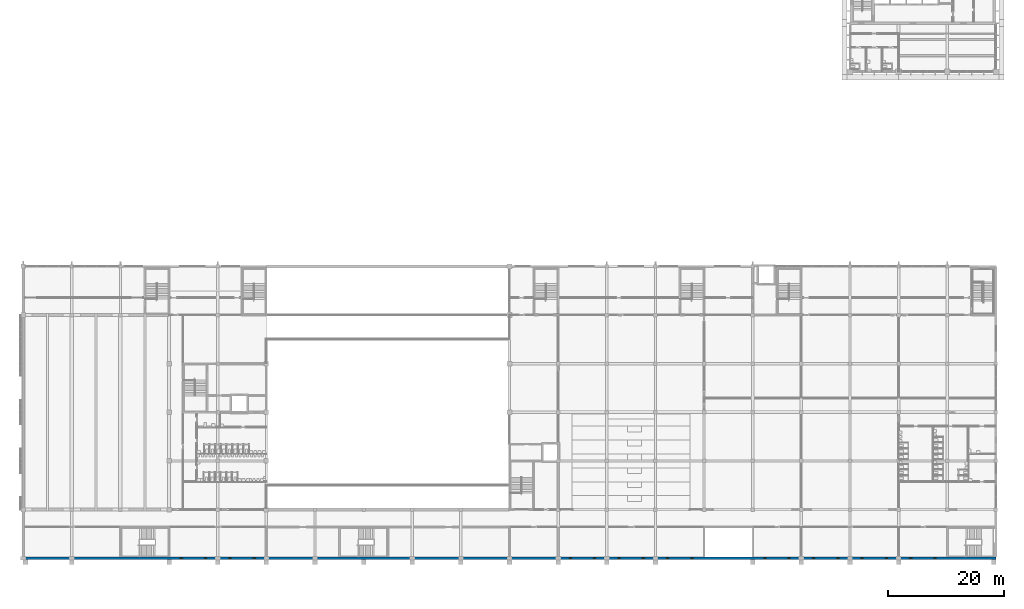
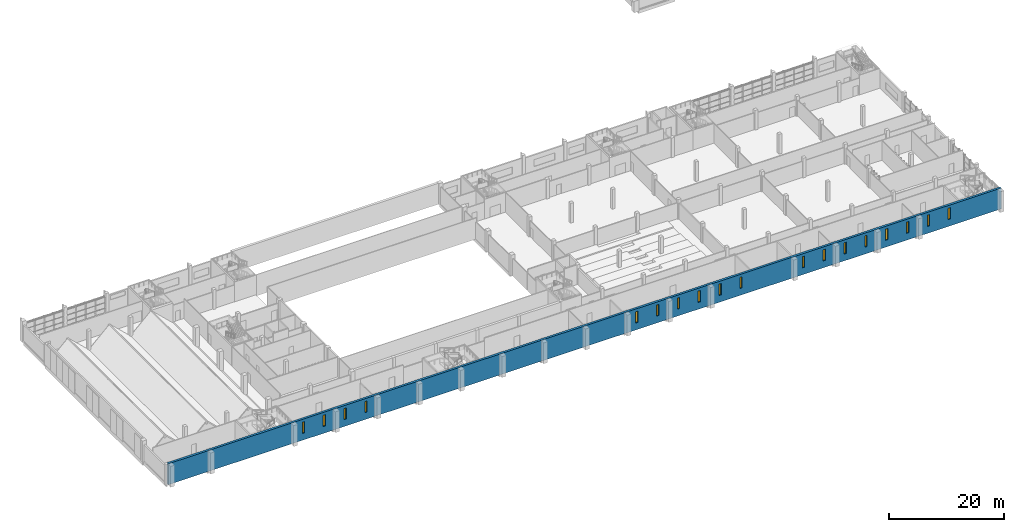
# One storey, part 21 of 56: 18 windows, 1 wall, 18 openings.
"""IFC4 building model written with IfcOpenShell, lengths in metres."""

import ifcopenshell
import ifcopenshell.guid

model = None  # the IFC model being written
_history = None  # IfcOwnerHistory: only IFC2X3 demands one
_inside = {}  # id of a spatial element -> (the spatial element, [elements in it])
_under = {}  # id of a project, library or spatial element -> (it, [spatial elements below it])
_declared = {}  # id of a project -> (the project, [libraries it declares])
_typed = {}  # id of a type object -> (the type object, [elements of that type])
_made_of = {}  # id of a material, layer set ... -> (it, [elements and type objects made of it])


def new_model(schema):
    """Start an empty IFC model of exactly this schema.

    Asked for "IFC4X3", IfcOpenShell would pick the latest addendum, in which some entities
    have other attributes; the version numbers below select the first issue.
    IFC2X3 requires an IfcOwnerHistory on every rooted entity: one is made here for all.
    """
    global model, _history
    if schema == "IFC4X3":
        model = ifcopenshell.file(schema_version=(4, 3, 0, 0))
    else:
        model = ifcopenshell.file(schema=schema)
    _inside.clear()
    _under.clear()
    _declared.clear()
    _typed.clear()
    _made_of.clear()
    _history = None
    if model.schema == "IFC2X3":
        org = make("IfcOrganization", Name="unknown")
        user = make(
            "IfcPersonAndOrganization",
            ThePerson=make("IfcPerson", FamilyName="unknown"),
            TheOrganization=org,
        )
        app = make(
            "IfcApplication",
            ApplicationDeveloper=org,
            Version="unknown",
            ApplicationFullName="unknown",
            ApplicationIdentifier="unknown",
        )
        _history = make(
            "IfcOwnerHistory",
            OwningUser=user,
            OwningApplication=app,
            ChangeAction="ADDED",
            CreationDate=0,
        )
    return model


def make(cls, **values):
    """One entity of the class cls with the attributes given. An attribute that is None is left unset."""
    return model.create_entity(
        cls, **{name: value for name, value in values.items() if value is not None}
    )


def rooted(cls, **values):
    """An entity with a GlobalId (a new one), such as an element, a storey or a relation."""
    return make(cls, GlobalId=ifcopenshell.guid.new(), OwnerHistory=_history, **values)


def si_unit(unit_type, name, prefix=None):
    """IfcSIUnit, for example si_unit("LENGTHUNIT", "METRE", prefix="MILLI")."""
    return make("IfcSIUnit", UnitType=unit_type, Prefix=prefix, Name=name)


def assignment(units):
    """IfcUnitAssignment: the units of a project."""
    return None if units is None else make("IfcUnitAssignment", Units=units)


def point(xyz):
    """IfcCartesianPoint."""
    return None if xyz is None else make("IfcCartesianPoint", Coordinates=xyz)


def direction(xyz):
    """IfcDirection."""
    return None if xyz is None else make("IfcDirection", DirectionRatios=xyz)


def frame(location, z_axis=None, x_axis=None):
    """IfcAxis2Placement3D, a coordinate frame: its origin and axes. An axis left out is left unset."""
    return make(
        "IfcAxis2Placement3D",
        Location=point(location),
        Axis=direction(z_axis),
        RefDirection=direction(x_axis),
    )


def frame_2d(location, x_axis=None):
    """IfcAxis2Placement2D, a coordinate frame in the plane: its origin and x axis."""
    return make(
        "IfcAxis2Placement2D", Location=point(location), RefDirection=direction(x_axis)
    )


def origin():
    """The frame at (0, 0, 0) with its axes left unset."""
    return frame((0.0, 0.0, 0.0))


def place(relative_to, where):
    """IfcLocalPlacement: puts the frame where relative to a parent placement (None: the world)."""
    return make(
        "IfcLocalPlacement", PlacementRelTo=relative_to, RelativePlacement=where
    )


def context(
    kind, dimensions, precision=None, world=None, true_north=None, identifier=None
):
    """IfcGeometricRepresentationContext, for example the 3D "Model" context."""
    return make(
        "IfcGeometricRepresentationContext",
        ContextIdentifier=identifier,
        ContextType=kind,
        CoordinateSpaceDimension=dimensions,
        Precision=precision,
        WorldCoordinateSystem=world,
        TrueNorth=true_north,
    )


def subcontext(parent, identifier, kind, view, scale=None):
    """IfcGeometricRepresentationSubContext, for example "Body" below "Model"."""
    return make(
        "IfcGeometricRepresentationSubContext",
        ContextIdentifier=identifier,
        ContextType=kind,
        ParentContext=parent,
        TargetScale=scale,
        TargetView=view,
    )


def project(units=None, contexts=None):
    """IfcProject with its units and contexts."""
    return rooted(
        "IfcProject",
        Name="project",
        RepresentationContexts=contexts,
        UnitsInContext=assignment(units),
    )


def spatial(cls, under=None, at=None, **own):
    """A site, building, storey or space (cls), placed at a placement, below another one or the project."""
    s = rooted(cls, ObjectPlacement=at, **own)
    if under is not None:
        _under.setdefault(under.id(), (under, []))[1].append(s)
    return s


def profile(cls, at=None, kind="AREA", **sizes):
    """A parametric profile (cls). Its sizes go by their IFC names, for example OverallWidth=200.0."""
    return make(cls, ProfileType=kind, Position=at, **sizes)


def rectangle(**sizes):
    """IfcRectangleProfileDef."""
    return profile("IfcRectangleProfileDef", **sizes)


def extrude(swept, where, along, depth):
    """IfcExtrudedAreaSolid: the profile swept, set in the frame where, extruded along a direction by depth."""
    return make(
        "IfcExtrudedAreaSolid",
        SweptArea=swept,
        Position=where,
        ExtrudedDirection=direction(along),
        Depth=depth,
    )


def shape(context_of_items, identifier, shape_type, items):
    """IfcShapeRepresentation: the items that make up one representation, for example the "Body"."""
    return make(
        "IfcShapeRepresentation",
        ContextOfItems=context_of_items,
        RepresentationIdentifier=identifier,
        RepresentationType=shape_type,
        Items=items,
    )


def material(Name=None, Category=None):
    """IfcMaterial."""
    return make("IfcMaterial", Name=Name, Category=Category)


def layer(
    of_material, thickness, ventilated=None, Name=None, Category=None, Priority=None
):
    """IfcMaterialLayer: one layer of a wall or slab, of a material (None: an air gap)."""
    return make(
        "IfcMaterialLayer",
        Material=of_material,
        LayerThickness=thickness,
        IsVentilated=ventilated,
        Name=Name,
        Category=Category,
        Priority=Priority,
    )


def layer_set(layers, Name=None):
    """IfcMaterialLayerSet."""
    return make("IfcMaterialLayerSet", MaterialLayers=layers, LayerSetName=Name)


def made_of(thing, what):
    """Note that an element or type object is made of a material, layer set ...; save() writes the relation."""
    if what is not None:
        _made_of.setdefault(what.id(), (what, []))[1].append(thing)
    return thing


def type_object(cls, material=None, **own):
    """A type object (cls), such as IfcWallType, which elements share."""
    return made_of(rooted(cls, **own), material)


def element(
    cls,
    number,
    at=None,
    inside=None,
    cuts=None,
    type_object=None,
    material=None,
    context=None,
    identifier="Body",
    shape_type=None,
    held_by="IfcProductDefinitionShape",
    body=None,
    shapes=None,
    **own,
):
    """One element of the class cls, such as IfcWall. Its Tag is "e" and its number.

    at: its placement. inside: the storey or other place that contains it. cuts: it is an
    opening in that element (IfcRelVoidsElement). A single representation is given by context,
    identifier, shape_type and body (its items); several are given by shapes. held_by: the class
    of the entity that holds the representations. save() writes the other relations.
    """
    e = rooted(cls, Tag="e%d" % number, ObjectPlacement=at, **own)
    if body is not None:
        shapes = [shape(context, identifier, shape_type, body)]
    if shapes is not None:
        e.Representation = make(held_by, Representations=shapes)
    if inside is not None:
        _inside.setdefault(inside.id(), (inside, []))[1].append(e)
    if cuts is not None:
        rooted(
            "IfcRelVoidsElement", RelatingBuildingElement=cuts, RelatedOpeningElement=e
        )
    if type_object is not None:
        _typed.setdefault(type_object.id(), (type_object, []))[1].append(e)
    return made_of(e, material)


def fill(opening, filler):
    """IfcRelFillsElement: the door or window that sits in an opening."""
    return rooted(
        "IfcRelFillsElement",
        RelatingOpeningElement=opening,
        RelatedBuildingElement=filler,
    )


def aggregate(whole, parts):
    """IfcRelAggregates: a whole, such as a stair, and the parts it consists of."""
    return rooted("IfcRelAggregates", RelatingObject=whole, RelatedObjects=parts)


def save(model, path):
    """Write the relations noted so far, then the file.

    IfcRelAggregates (storeys below a building ...), IfcRelContainedInSpatialStructure (elements
    in a storey), IfcRelDefinesByType, IfcRelAssociatesMaterial and IfcRelDeclares: one each for
    every whole, place, type object, material and project.
    """
    for whole, parts in _under.values():
        aggregate(whole, parts)
    for where, things in _inside.values():
        rooted(
            "IfcRelContainedInSpatialStructure",
            RelatedElements=things,
            RelatingStructure=where,
        )
    for kind, things in _typed.values():
        rooted("IfcRelDefinesByType", RelatedObjects=things, RelatingType=kind)
    for what, things in _made_of.values():
        rooted("IfcRelAssociatesMaterial", RelatedObjects=things, RelatingMaterial=what)
    for by, libraries in _declared.values():
        rooted("IfcRelDeclares", RelatingContext=by, RelatedDefinitions=libraries)
    model.write(path)


model = new_model("IFC4")

# Units and contexts
model_context = context("Model", 3, precision=1e-05, world=origin(), true_north=direction((0.0, 1.0)))
body_context = subcontext(model_context, "Body", "Model", "MODEL_VIEW")
ifc_project = project(units=[si_unit("LENGTHUNIT", "METRE"), si_unit("AREAUNIT", "SQUARE_METRE"), si_unit("VOLUMEUNIT", "CUBIC_METRE"), si_unit("PLANEANGLEUNIT", "RADIAN"), si_unit("MASSUNIT", "GRAM", prefix="KILO")], contexts=[model_context])

# Site, building, storey
site_placement = place(None, origin())
site = spatial("IfcSite", under=ifc_project, at=site_placement, CompositionType="ELEMENT")
building_placement = place(site_placement, origin())
building = spatial("IfcBuilding", under=site, at=building_placement, Name="Rulbaag Community and Learning Centre", CompositionType="ELEMENT")
storey_placement = place(building_placement, frame((0.0, 0.0, 9.89990234375)))
storey = spatial("IfcBuildingStorey", under=building, at=storey_placement, Name="L02", CompositionType="ELEMENT", Elevation=9.89990234375)

# Wall, openings, windows
ifc_material_1 = material(Name="Concrete M40", Category="concrete")
ifc_layer = layer(ifc_material_1, 0.449951171875)
ifc_layer_set = layer_set([ifc_layer], Name="W12 Rail-side wall 450 Concrete M40")
wall_type = type_object("IfcWallType", Name="W12 Rail-side wall 450 Concrete M40", PredefinedType="SOLIDWALL", material=ifc_layer_set)
wall_placement = place(storey_placement, frame((0.0, 0.0, -0.25), z_axis=(0.0, 0.0, 1.0), x_axis=(1.0, 0.0, 0.0)))
wall = element("IfcWall", 1, at=wall_placement, inside=storey, type_object=wall_type, Name="WL-RAIL-L02", PredefinedType="SOLIDWALL", context=body_context, shape_type="SweptSolid", body=[
    extrude(rectangle(XDim=168.0, YDim=0.449951171875, at=frame_2d((84.0, 0.0))), origin(), (0.0, 0.0, 1.0), 4.4501953125),
])
opening_1_placement = place(wall_placement, frame((27.074951171875, 0.0, 1.449951171875)))
opening_1 = element("IfcOpeningElement", 2, at=opening_1_placement, cuts=wall, Name="Opening WN6", PredefinedType="OPENING", context=body_context, shape_type="SweptSolid", body=[
    extrude(rectangle(XDim=0.449951171875, YDim=2.39990234375, at=frame_2d((0.22509765625, 1.199951171875))), frame((0.0, 0.23486328125, 0.0), z_axis=(0.0, -1.0, 0.0), x_axis=(1.0, 0.0, 0.0)), (0.0, 0.0, 1.0), 0.469970703125),
])
opening_2_placement = place(wall_placement, frame((31.27490234375, 0.0, 1.449951171875)))
opening_2 = element("IfcOpeningElement", 3, at=opening_2_placement, cuts=wall, Name="Opening WN6", PredefinedType="OPENING", context=body_context, shape_type="SweptSolid", body=[
    extrude(rectangle(XDim=0.449951171875, YDim=2.39990234375, at=frame_2d((0.22509765625, 1.199951171875))), frame((0.0, 0.23486328125, 0.0), z_axis=(0.0, -1.0, 0.0), x_axis=(1.0, 0.0, 0.0)), (0.0, 0.0, 1.0), 0.469970703125),
])
opening_3_placement = place(wall_placement, frame((35.47509765625, 0.0, 1.449951171875)))
opening_3 = element("IfcOpeningElement", 4, at=opening_3_placement, cuts=wall, Name="Opening WN6", PredefinedType="OPENING", context=body_context, shape_type="SweptSolid", body=[
    extrude(rectangle(XDim=0.449951171875, YDim=2.39990234375, at=frame_2d((0.22509765625, 1.199951171875))), frame((0.0, 0.23486328125, 0.0), z_axis=(0.0, -1.0, 0.0), x_axis=(1.0, 0.0, 0.0)), (0.0, 0.0, 1.0), 0.469970703125),
])
opening_4_placement = place(wall_placement, frame((39.675048828125, 0.0, 1.449951171875)))
opening_4 = element("IfcOpeningElement", 5, at=opening_4_placement, cuts=wall, Name="Opening WN6", PredefinedType="OPENING", context=body_context, shape_type="SweptSolid", body=[
    extrude(rectangle(XDim=0.449951171875, YDim=2.39990234375, at=frame_2d((0.22509765625, 1.199951171875))), frame((0.0, 0.23486328125, 0.0), z_axis=(0.0, -1.0, 0.0), x_axis=(1.0, 0.0, 0.0)), (0.0, 0.0, 1.0), 0.469970703125),
])
opening_5_placement = place(wall_placement, frame((94.27490234375, 0.0, 1.449951171875)))
opening_5 = element("IfcOpeningElement", 6, at=opening_5_placement, cuts=wall, Name="Opening WN6", PredefinedType="OPENING", context=body_context, shape_type="SweptSolid", body=[
    extrude(rectangle(XDim=0.449951171875, YDim=2.39990234375, at=frame_2d((0.22509765625, 1.199951171875))), frame((0.0, 0.23486328125, 0.0), z_axis=(0.0, -1.0, 0.0), x_axis=(1.0, 0.0, 0.0)), (0.0, 0.0, 1.0), 0.469970703125),
])
opening_6_placement = place(wall_placement, frame((98.47509765625, 0.0, 1.449951171875)))
opening_6 = element("IfcOpeningElement", 7, at=opening_6_placement, cuts=wall, Name="Opening WN6", PredefinedType="OPENING", context=body_context, shape_type="SweptSolid", body=[
    extrude(rectangle(XDim=0.449951171875, YDim=2.39990234375, at=frame_2d((0.22509765625, 1.199951171875))), frame((0.0, 0.23486328125, 0.0), z_axis=(0.0, -1.0, 0.0), x_axis=(1.0, 0.0, 0.0)), (0.0, 0.0, 1.0), 0.469970703125),
])
opening_7_placement = place(wall_placement, frame((102.675048828125, 0.0, 1.449951171875)))
opening_7 = element("IfcOpeningElement", 8, at=opening_7_placement, cuts=wall, Name="Opening WN6", PredefinedType="OPENING", context=body_context, shape_type="SweptSolid", body=[
    extrude(rectangle(XDim=0.449951171875, YDim=2.39990234375, at=frame_2d((0.22509765625, 1.199951171875))), frame((0.0, 0.23486328125, 0.0), z_axis=(0.0, -1.0, 0.0), x_axis=(1.0, 0.0, 0.0)), (0.0, 0.0, 1.0), 0.469970703125),
])
opening_8_placement = place(wall_placement, frame((106.875, 0.0, 1.449951171875)))
opening_8 = element("IfcOpeningElement", 9, at=opening_8_placement, cuts=wall, Name="Opening WN6", PredefinedType="OPENING", context=body_context, shape_type="SweptSolid", body=[
    extrude(rectangle(XDim=0.449951171875, YDim=2.39990234375, at=frame_2d((0.22509765625, 1.199951171875))), frame((0.0, 0.23486328125, 0.0), z_axis=(0.0, -1.0, 0.0), x_axis=(1.0, 0.0, 0.0)), (0.0, 0.0, 1.0), 0.469970703125),
])
opening_9_placement = place(wall_placement, frame((111.074951171875, 0.0, 1.449951171875)))
opening_9 = element("IfcOpeningElement", 10, at=opening_9_placement, cuts=wall, Name="Opening WN6", PredefinedType="OPENING", context=body_context, shape_type="SweptSolid", body=[
    extrude(rectangle(XDim=0.449951171875, YDim=2.39990234375, at=frame_2d((0.22509765625, 1.199951171875))), frame((0.0, 0.23486328125, 0.0), z_axis=(0.0, -1.0, 0.0), x_axis=(1.0, 0.0, 0.0)), (0.0, 0.0, 1.0), 0.469970703125),
])
opening_10_placement = place(wall_placement, frame((115.27490234375, 0.0, 1.449951171875)))
opening_10 = element("IfcOpeningElement", 11, at=opening_10_placement, cuts=wall, Name="Opening WN6", PredefinedType="OPENING", context=body_context, shape_type="SweptSolid", body=[
    extrude(rectangle(XDim=0.449951171875, YDim=2.39990234375, at=frame_2d((0.22509765625, 1.199951171875))), frame((0.0, 0.23486328125, 0.0), z_axis=(0.0, -1.0, 0.0), x_axis=(1.0, 0.0, 0.0)), (0.0, 0.0, 1.0), 0.469970703125),
])
opening_11_placement = place(wall_placement, frame((127.875, 0.0, 1.449951171875)))
opening_11 = element("IfcOpeningElement", 12, at=opening_11_placement, cuts=wall, Name="Opening WN6", PredefinedType="OPENING", context=body_context, shape_type="SweptSolid", body=[
    extrude(rectangle(XDim=0.449951171875, YDim=2.39990234375, at=frame_2d((0.22509765625, 1.199951171875))), frame((0.0, 0.23486328125, 0.0), z_axis=(0.0, -1.0, 0.0), x_axis=(1.0, 0.0, 0.0)), (0.0, 0.0, 1.0), 0.469970703125),
])
opening_12_placement = place(wall_placement, frame((132.074951171875, 0.0, 1.449951171875)))
opening_12 = element("IfcOpeningElement", 13, at=opening_12_placement, cuts=wall, Name="Opening WN6", PredefinedType="OPENING", context=body_context, shape_type="SweptSolid", body=[
    extrude(rectangle(XDim=0.449951171875, YDim=2.39990234375, at=frame_2d((0.22509765625, 1.199951171875))), frame((0.0, 0.23486328125, 0.0), z_axis=(0.0, -1.0, 0.0), x_axis=(1.0, 0.0, 0.0)), (0.0, 0.0, 1.0), 0.469970703125),
])
opening_13_placement = place(wall_placement, frame((136.27490234375, 0.0, 1.449951171875)))
opening_13 = element("IfcOpeningElement", 14, at=opening_13_placement, cuts=wall, Name="Opening WN6", PredefinedType="OPENING", context=body_context, shape_type="SweptSolid", body=[
    extrude(rectangle(XDim=0.449951171875, YDim=2.39990234375, at=frame_2d((0.22509765625, 1.199951171875))), frame((0.0, 0.23486328125, 0.0), z_axis=(0.0, -1.0, 0.0), x_axis=(1.0, 0.0, 0.0)), (0.0, 0.0, 1.0), 0.469970703125),
])
opening_14_placement = place(wall_placement, frame((140.47509765625, 0.0, 1.449951171875)))
opening_14 = element("IfcOpeningElement", 15, at=opening_14_placement, cuts=wall, Name="Opening WN6", PredefinedType="OPENING", context=body_context, shape_type="SweptSolid", body=[
    extrude(rectangle(XDim=0.449951171875, YDim=2.39990234375, at=frame_2d((0.22509765625, 1.199951171875))), frame((0.0, 0.23486328125, 0.0), z_axis=(0.0, -1.0, 0.0), x_axis=(1.0, 0.0, 0.0)), (0.0, 0.0, 1.0), 0.469970703125),
])
opening_15_placement = place(wall_placement, frame((144.675048828125, 0.0, 1.449951171875)))
opening_15 = element("IfcOpeningElement", 16, at=opening_15_placement, cuts=wall, Name="Opening WN6", PredefinedType="OPENING", context=body_context, shape_type="SweptSolid", body=[
    extrude(rectangle(XDim=0.449951171875, YDim=2.39990234375, at=frame_2d((0.22509765625, 1.199951171875))), frame((0.0, 0.23486328125, 0.0), z_axis=(0.0, -1.0, 0.0), x_axis=(1.0, 0.0, 0.0)), (0.0, 0.0, 1.0), 0.469970703125),
])
opening_16_placement = place(wall_placement, frame((148.875, 0.0, 1.449951171875)))
opening_16 = element("IfcOpeningElement", 17, at=opening_16_placement, cuts=wall, Name="Opening WN6", PredefinedType="OPENING", context=body_context, shape_type="SweptSolid", body=[
    extrude(rectangle(XDim=0.449951171875, YDim=2.39990234375, at=frame_2d((0.22509765625, 1.199951171875))), frame((0.0, 0.23486328125, 0.0), z_axis=(0.0, -1.0, 0.0), x_axis=(1.0, 0.0, 0.0)), (0.0, 0.0, 1.0), 0.469970703125),
])
opening_17_placement = place(wall_placement, frame((153.074951171875, 0.0, 1.449951171875)))
opening_17 = element("IfcOpeningElement", 18, at=opening_17_placement, cuts=wall, Name="Opening WN6", PredefinedType="OPENING", context=body_context, shape_type="SweptSolid", body=[
    extrude(rectangle(XDim=0.449951171875, YDim=2.39990234375, at=frame_2d((0.22509765625, 1.199951171875))), frame((0.0, 0.23486328125, 0.0), z_axis=(0.0, -1.0, 0.0), x_axis=(1.0, 0.0, 0.0)), (0.0, 0.0, 1.0), 0.469970703125),
])
opening_18_placement = place(wall_placement, frame((157.27490234375, 0.0, 1.449951171875)))
opening_18 = element("IfcOpeningElement", 19, at=opening_18_placement, cuts=wall, Name="Opening WN6", PredefinedType="OPENING", context=body_context, shape_type="SweptSolid", body=[
    extrude(rectangle(XDim=0.449951171875, YDim=2.39990234375, at=frame_2d((0.22509765625, 1.199951171875))), frame((0.0, 0.23486328125, 0.0), z_axis=(0.0, -1.0, 0.0), x_axis=(1.0, 0.0, 0.0)), (0.0, 0.0, 1.0), 0.469970703125),
])
ifc_material_2 = material(Name="Aluminium", Category="aluminium")
window_type = type_object("IfcWindowType", Name="SL-045", PartitioningType="SINGLE_PANEL", PredefinedType="WINDOW", material=ifc_material_2)
window_1_placement = place(opening_1_placement, origin())
window_1 = element("IfcWindow", 20, at=window_1_placement, inside=storey, type_object=window_type, Name="Acoustic slot window", OverallHeight=2.39990234375, OverallWidth=0.449951171875, PartitioningType="SINGLE_PANEL", PredefinedType="WINDOW", context=body_context, shape_type="SweptSolid", body=[
    extrude(rectangle(XDim=0.449951171875, YDim=2.39990234375, at=frame_2d((0.22509765625, 1.199951171875))), frame((0.0, 0.030029296875, 0.0), z_axis=(0.0, -1.0, 0.0), x_axis=(1.0, 0.0, 0.0)), (0.0, 0.0, 1.0), 0.06005859375),
])
fill(opening_1, window_1)
window_2_placement = place(opening_2_placement, origin())
window_2 = element("IfcWindow", 21, at=window_2_placement, inside=storey, type_object=window_type, Name="Acoustic slot window", OverallHeight=2.39990234375, OverallWidth=0.449951171875, PartitioningType="SINGLE_PANEL", PredefinedType="WINDOW", context=body_context, shape_type="SweptSolid", body=[
    extrude(rectangle(XDim=0.449951171875, YDim=2.39990234375, at=frame_2d((0.22509765625, 1.199951171875))), frame((0.0, 0.030029296875, 0.0), z_axis=(0.0, -1.0, 0.0), x_axis=(1.0, 0.0, 0.0)), (0.0, 0.0, 1.0), 0.06005859375),
])
fill(opening_2, window_2)
window_3_placement = place(opening_3_placement, origin())
window_3 = element("IfcWindow", 22, at=window_3_placement, inside=storey, type_object=window_type, Name="Acoustic slot window", OverallHeight=2.39990234375, OverallWidth=0.449951171875, PartitioningType="SINGLE_PANEL", PredefinedType="WINDOW", context=body_context, shape_type="SweptSolid", body=[
    extrude(rectangle(XDim=0.449951171875, YDim=2.39990234375, at=frame_2d((0.22509765625, 1.199951171875))), frame((0.0, 0.030029296875, 0.0), z_axis=(0.0, -1.0, 0.0), x_axis=(1.0, 0.0, 0.0)), (0.0, 0.0, 1.0), 0.06005859375),
])
fill(opening_3, window_3)
window_4_placement = place(opening_4_placement, origin())
window_4 = element("IfcWindow", 23, at=window_4_placement, inside=storey, type_object=window_type, Name="Acoustic slot window", OverallHeight=2.39990234375, OverallWidth=0.449951171875, PartitioningType="SINGLE_PANEL", PredefinedType="WINDOW", context=body_context, shape_type="SweptSolid", body=[
    extrude(rectangle(XDim=0.449951171875, YDim=2.39990234375, at=frame_2d((0.22509765625, 1.199951171875))), frame((0.0, 0.030029296875, 0.0), z_axis=(0.0, -1.0, 0.0), x_axis=(1.0, 0.0, 0.0)), (0.0, 0.0, 1.0), 0.06005859375),
])
fill(opening_4, window_4)
window_5_placement = place(opening_5_placement, origin())
window_5 = element("IfcWindow", 24, at=window_5_placement, inside=storey, type_object=window_type, Name="Acoustic slot window", OverallHeight=2.39990234375, OverallWidth=0.449951171875, PartitioningType="SINGLE_PANEL", PredefinedType="WINDOW", context=body_context, shape_type="SweptSolid", body=[
    extrude(rectangle(XDim=0.449951171875, YDim=2.39990234375, at=frame_2d((0.22509765625, 1.199951171875))), frame((0.0, 0.030029296875, 0.0), z_axis=(0.0, -1.0, 0.0), x_axis=(1.0, 0.0, 0.0)), (0.0, 0.0, 1.0), 0.06005859375),
])
fill(opening_5, window_5)
window_6_placement = place(opening_6_placement, origin())
window_6 = element("IfcWindow", 25, at=window_6_placement, inside=storey, type_object=window_type, Name="Acoustic slot window", OverallHeight=2.39990234375, OverallWidth=0.449951171875, PartitioningType="SINGLE_PANEL", PredefinedType="WINDOW", context=body_context, shape_type="SweptSolid", body=[
    extrude(rectangle(XDim=0.449951171875, YDim=2.39990234375, at=frame_2d((0.22509765625, 1.199951171875))), frame((0.0, 0.030029296875, 0.0), z_axis=(0.0, -1.0, 0.0), x_axis=(1.0, 0.0, 0.0)), (0.0, 0.0, 1.0), 0.06005859375),
])
fill(opening_6, window_6)
window_7_placement = place(opening_7_placement, origin())
window_7 = element("IfcWindow", 26, at=window_7_placement, inside=storey, type_object=window_type, Name="Acoustic slot window", OverallHeight=2.39990234375, OverallWidth=0.449951171875, PartitioningType="SINGLE_PANEL", PredefinedType="WINDOW", context=body_context, shape_type="SweptSolid", body=[
    extrude(rectangle(XDim=0.449951171875, YDim=2.39990234375, at=frame_2d((0.22509765625, 1.199951171875))), frame((0.0, 0.030029296875, 0.0), z_axis=(0.0, -1.0, 0.0), x_axis=(1.0, 0.0, 0.0)), (0.0, 0.0, 1.0), 0.06005859375),
])
fill(opening_7, window_7)
window_8_placement = place(opening_8_placement, origin())
window_8 = element("IfcWindow", 27, at=window_8_placement, inside=storey, type_object=window_type, Name="Acoustic slot window", OverallHeight=2.39990234375, OverallWidth=0.449951171875, PartitioningType="SINGLE_PANEL", PredefinedType="WINDOW", context=body_context, shape_type="SweptSolid", body=[
    extrude(rectangle(XDim=0.449951171875, YDim=2.39990234375, at=frame_2d((0.22509765625, 1.199951171875))), frame((0.0, 0.030029296875, 0.0), z_axis=(0.0, -1.0, 0.0), x_axis=(1.0, 0.0, 0.0)), (0.0, 0.0, 1.0), 0.06005859375),
])
fill(opening_8, window_8)
window_9_placement = place(opening_9_placement, origin())
window_9 = element("IfcWindow", 28, at=window_9_placement, inside=storey, type_object=window_type, Name="Acoustic slot window", OverallHeight=2.39990234375, OverallWidth=0.449951171875, PartitioningType="SINGLE_PANEL", PredefinedType="WINDOW", context=body_context, shape_type="SweptSolid", body=[
    extrude(rectangle(XDim=0.449951171875, YDim=2.39990234375, at=frame_2d((0.22509765625, 1.199951171875))), frame((0.0, 0.030029296875, 0.0), z_axis=(0.0, -1.0, 0.0), x_axis=(1.0, 0.0, 0.0)), (0.0, 0.0, 1.0), 0.06005859375),
])
fill(opening_9, window_9)
window_10_placement = place(opening_10_placement, origin())
window_10 = element("IfcWindow", 29, at=window_10_placement, inside=storey, type_object=window_type, Name="Acoustic slot window", OverallHeight=2.39990234375, OverallWidth=0.449951171875, PartitioningType="SINGLE_PANEL", PredefinedType="WINDOW", context=body_context, shape_type="SweptSolid", body=[
    extrude(rectangle(XDim=0.449951171875, YDim=2.39990234375, at=frame_2d((0.22509765625, 1.199951171875))), frame((0.0, 0.030029296875, 0.0), z_axis=(0.0, -1.0, 0.0), x_axis=(1.0, 0.0, 0.0)), (0.0, 0.0, 1.0), 0.06005859375),
])
fill(opening_10, window_10)
window_11_placement = place(opening_11_placement, origin())
window_11 = element("IfcWindow", 30, at=window_11_placement, inside=storey, type_object=window_type, Name="Acoustic slot window", OverallHeight=2.39990234375, OverallWidth=0.449951171875, PartitioningType="SINGLE_PANEL", PredefinedType="WINDOW", context=body_context, shape_type="SweptSolid", body=[
    extrude(rectangle(XDim=0.449951171875, YDim=2.39990234375, at=frame_2d((0.22509765625, 1.199951171875))), frame((0.0, 0.030029296875, 0.0), z_axis=(0.0, -1.0, 0.0), x_axis=(1.0, 0.0, 0.0)), (0.0, 0.0, 1.0), 0.06005859375),
])
fill(opening_11, window_11)
window_12_placement = place(opening_12_placement, origin())
window_12 = element("IfcWindow", 31, at=window_12_placement, inside=storey, type_object=window_type, Name="Acoustic slot window", OverallHeight=2.39990234375, OverallWidth=0.449951171875, PartitioningType="SINGLE_PANEL", PredefinedType="WINDOW", context=body_context, shape_type="SweptSolid", body=[
    extrude(rectangle(XDim=0.449951171875, YDim=2.39990234375, at=frame_2d((0.22509765625, 1.199951171875))), frame((0.0, 0.030029296875, 0.0), z_axis=(0.0, -1.0, 0.0), x_axis=(1.0, 0.0, 0.0)), (0.0, 0.0, 1.0), 0.06005859375),
])
fill(opening_12, window_12)
window_13_placement = place(opening_13_placement, origin())
window_13 = element("IfcWindow", 32, at=window_13_placement, inside=storey, type_object=window_type, Name="Acoustic slot window", OverallHeight=2.39990234375, OverallWidth=0.449951171875, PartitioningType="SINGLE_PANEL", PredefinedType="WINDOW", context=body_context, shape_type="SweptSolid", body=[
    extrude(rectangle(XDim=0.449951171875, YDim=2.39990234375, at=frame_2d((0.22509765625, 1.199951171875))), frame((0.0, 0.030029296875, 0.0), z_axis=(0.0, -1.0, 0.0), x_axis=(1.0, 0.0, 0.0)), (0.0, 0.0, 1.0), 0.06005859375),
])
fill(opening_13, window_13)
window_14_placement = place(opening_14_placement, origin())
window_14 = element("IfcWindow", 33, at=window_14_placement, inside=storey, type_object=window_type, Name="Acoustic slot window", OverallHeight=2.39990234375, OverallWidth=0.449951171875, PartitioningType="SINGLE_PANEL", PredefinedType="WINDOW", context=body_context, shape_type="SweptSolid", body=[
    extrude(rectangle(XDim=0.449951171875, YDim=2.39990234375, at=frame_2d((0.22509765625, 1.199951171875))), frame((0.0, 0.030029296875, 0.0), z_axis=(0.0, -1.0, 0.0), x_axis=(1.0, 0.0, 0.0)), (0.0, 0.0, 1.0), 0.06005859375),
])
fill(opening_14, window_14)
window_15_placement = place(opening_15_placement, origin())
window_15 = element("IfcWindow", 34, at=window_15_placement, inside=storey, type_object=window_type, Name="Acoustic slot window", OverallHeight=2.39990234375, OverallWidth=0.449951171875, PartitioningType="SINGLE_PANEL", PredefinedType="WINDOW", context=body_context, shape_type="SweptSolid", body=[
    extrude(rectangle(XDim=0.449951171875, YDim=2.39990234375, at=frame_2d((0.22509765625, 1.199951171875))), frame((0.0, 0.030029296875, 0.0), z_axis=(0.0, -1.0, 0.0), x_axis=(1.0, 0.0, 0.0)), (0.0, 0.0, 1.0), 0.06005859375),
])
fill(opening_15, window_15)
window_16_placement = place(opening_16_placement, origin())
window_16 = element("IfcWindow", 35, at=window_16_placement, inside=storey, type_object=window_type, Name="Acoustic slot window", OverallHeight=2.39990234375, OverallWidth=0.449951171875, PartitioningType="SINGLE_PANEL", PredefinedType="WINDOW", context=body_context, shape_type="SweptSolid", body=[
    extrude(rectangle(XDim=0.449951171875, YDim=2.39990234375, at=frame_2d((0.22509765625, 1.199951171875))), frame((0.0, 0.030029296875, 0.0), z_axis=(0.0, -1.0, 0.0), x_axis=(1.0, 0.0, 0.0)), (0.0, 0.0, 1.0), 0.06005859375),
])
fill(opening_16, window_16)
window_17_placement = place(opening_17_placement, origin())
window_17 = element("IfcWindow", 36, at=window_17_placement, inside=storey, type_object=window_type, Name="Acoustic slot window", OverallHeight=2.39990234375, OverallWidth=0.449951171875, PartitioningType="SINGLE_PANEL", PredefinedType="WINDOW", context=body_context, shape_type="SweptSolid", body=[
    extrude(rectangle(XDim=0.449951171875, YDim=2.39990234375, at=frame_2d((0.22509765625, 1.199951171875))), frame((0.0, 0.030029296875, 0.0), z_axis=(0.0, -1.0, 0.0), x_axis=(1.0, 0.0, 0.0)), (0.0, 0.0, 1.0), 0.06005859375),
])
fill(opening_17, window_17)
window_18_placement = place(opening_18_placement, origin())
window_18 = element("IfcWindow", 37, at=window_18_placement, inside=storey, type_object=window_type, Name="Acoustic slot window", OverallHeight=2.39990234375, OverallWidth=0.449951171875, PartitioningType="SINGLE_PANEL", PredefinedType="WINDOW", context=body_context, shape_type="SweptSolid", body=[
    extrude(rectangle(XDim=0.449951171875, YDim=2.39990234375, at=frame_2d((0.22509765625, 1.199951171875))), frame((0.0, 0.030029296875, 0.0), z_axis=(0.0, -1.0, 0.0), x_axis=(1.0, 0.0, 0.0)), (0.0, 0.0, 1.0), 0.06005859375),
])
fill(opening_18, window_18)

save(model, "model.ifc")
